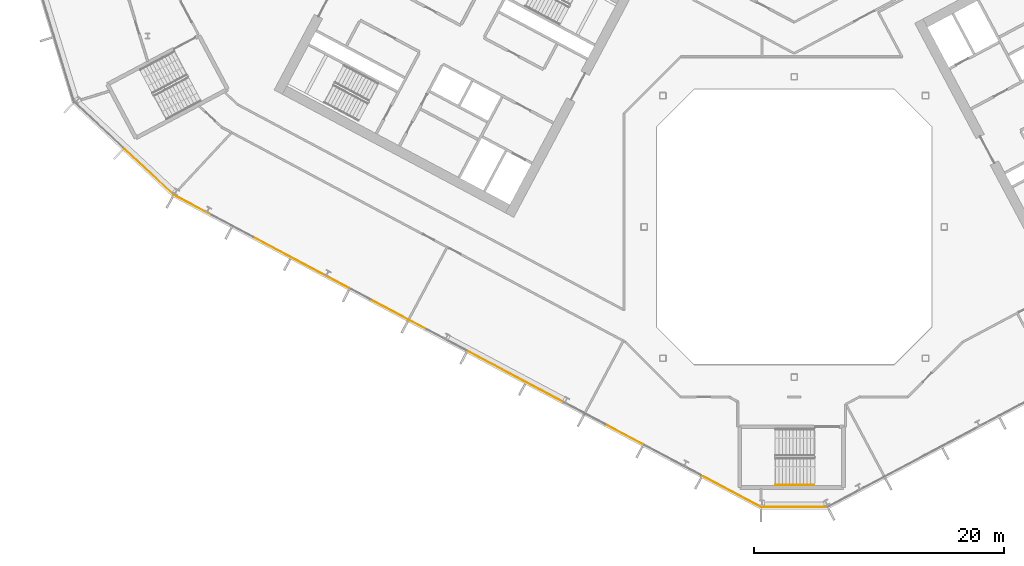
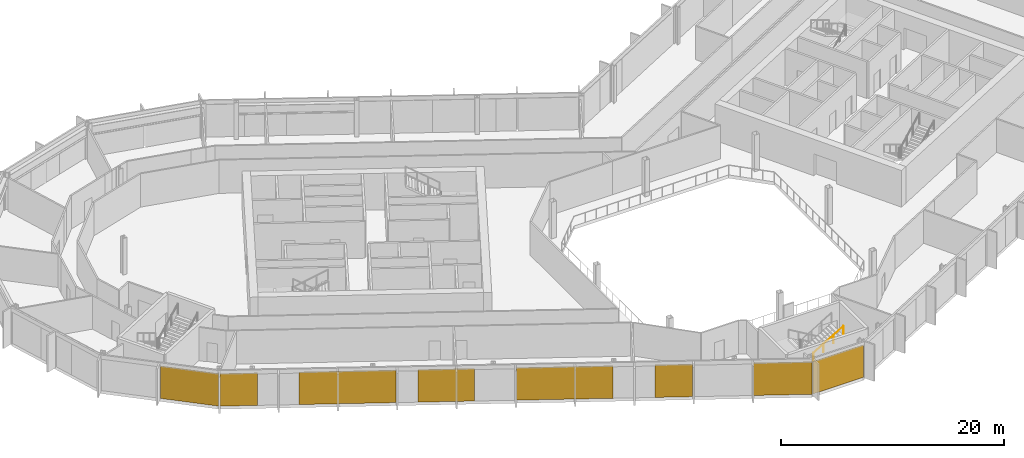
# One storey, part 19 of 28: 8 coverings, 1 railing, 3 elements without a shape of their own.
"""IFC4 building model written with IfcOpenShell, lengths in metres."""

import ifcopenshell
import ifcopenshell.guid

model = None  # the IFC model being written
_history = None  # IfcOwnerHistory: only IFC2X3 demands one
_inside = {}  # id of a spatial element -> (the spatial element, [elements in it])
_under = {}  # id of a project, library or spatial element -> (it, [spatial elements below it])
_declared = {}  # id of a project -> (the project, [libraries it declares])
_typed = {}  # id of a type object -> (the type object, [elements of that type])
_made_of = {}  # id of a material, layer set ... -> (it, [elements and type objects made of it])


def new_model(schema):
    """Start an empty IFC model of exactly this schema.

    Asked for "IFC4X3", IfcOpenShell would pick the latest addendum, in which some entities
    have other attributes; the version numbers below select the first issue.
    IFC2X3 requires an IfcOwnerHistory on every rooted entity: one is made here for all.
    """
    global model, _history
    if schema == "IFC4X3":
        model = ifcopenshell.file(schema_version=(4, 3, 0, 0))
    else:
        model = ifcopenshell.file(schema=schema)
    _inside.clear()
    _under.clear()
    _declared.clear()
    _typed.clear()
    _made_of.clear()
    _history = None
    if model.schema == "IFC2X3":
        org = make("IfcOrganization", Name="unknown")
        user = make(
            "IfcPersonAndOrganization",
            ThePerson=make("IfcPerson", FamilyName="unknown"),
            TheOrganization=org,
        )
        app = make(
            "IfcApplication",
            ApplicationDeveloper=org,
            Version="unknown",
            ApplicationFullName="unknown",
            ApplicationIdentifier="unknown",
        )
        _history = make(
            "IfcOwnerHistory",
            OwningUser=user,
            OwningApplication=app,
            ChangeAction="ADDED",
            CreationDate=0,
        )
    return model


def make(cls, **values):
    """One entity of the class cls with the attributes given. An attribute that is None is left unset."""
    return model.create_entity(
        cls, **{name: value for name, value in values.items() if value is not None}
    )


def rooted(cls, **values):
    """An entity with a GlobalId (a new one), such as an element, a storey or a relation."""
    return make(cls, GlobalId=ifcopenshell.guid.new(), OwnerHistory=_history, **values)


def si_unit(unit_type, name, prefix=None):
    """IfcSIUnit, for example si_unit("LENGTHUNIT", "METRE", prefix="MILLI")."""
    return make("IfcSIUnit", UnitType=unit_type, Prefix=prefix, Name=name)


def assignment(units):
    """IfcUnitAssignment: the units of a project."""
    return None if units is None else make("IfcUnitAssignment", Units=units)


def point(xyz):
    """IfcCartesianPoint."""
    return None if xyz is None else make("IfcCartesianPoint", Coordinates=xyz)


def direction(xyz):
    """IfcDirection."""
    return None if xyz is None else make("IfcDirection", DirectionRatios=xyz)


def frame(location, z_axis=None, x_axis=None):
    """IfcAxis2Placement3D, a coordinate frame: its origin and axes. An axis left out is left unset."""
    return make(
        "IfcAxis2Placement3D",
        Location=point(location),
        Axis=direction(z_axis),
        RefDirection=direction(x_axis),
    )


def frame_2d(location, x_axis=None):
    """IfcAxis2Placement2D, a coordinate frame in the plane: its origin and x axis."""
    return make(
        "IfcAxis2Placement2D", Location=point(location), RefDirection=direction(x_axis)
    )


def origin():
    """The frame at (0, 0, 0) with its axes left unset."""
    return frame((0.0, 0.0, 0.0))


def origin_2d():
    """The frame at (0, 0) in the plane with its x axis left unset."""
    return frame_2d((0.0, 0.0))


def place(relative_to, where):
    """IfcLocalPlacement: puts the frame where relative to a parent placement (None: the world)."""
    return make(
        "IfcLocalPlacement", PlacementRelTo=relative_to, RelativePlacement=where
    )


def context(
    kind, dimensions, precision=None, world=None, true_north=None, identifier=None
):
    """IfcGeometricRepresentationContext, for example the 3D "Model" context."""
    return make(
        "IfcGeometricRepresentationContext",
        ContextIdentifier=identifier,
        ContextType=kind,
        CoordinateSpaceDimension=dimensions,
        Precision=precision,
        WorldCoordinateSystem=world,
        TrueNorth=true_north,
    )


def subcontext(parent, identifier, kind, view, scale=None):
    """IfcGeometricRepresentationSubContext, for example "Body" below "Model"."""
    return make(
        "IfcGeometricRepresentationSubContext",
        ContextIdentifier=identifier,
        ContextType=kind,
        ParentContext=parent,
        TargetScale=scale,
        TargetView=view,
    )


def project(units=None, contexts=None):
    """IfcProject with its units and contexts."""
    return rooted(
        "IfcProject",
        Name="project",
        RepresentationContexts=contexts,
        UnitsInContext=assignment(units),
    )


def spatial(cls, under=None, at=None, **own):
    """A site, building, storey or space (cls), placed at a placement, below another one or the project."""
    s = rooted(cls, ObjectPlacement=at, **own)
    if under is not None:
        _under.setdefault(under.id(), (under, []))[1].append(s)
    return s


def polyline(points):
    """IfcPolyline through the points."""
    return make("IfcPolyline", Points=[point(p) for p in points])


def profile(cls, at=None, kind="AREA", **sizes):
    """A parametric profile (cls). Its sizes go by their IFC names, for example OverallWidth=200.0."""
    return make(cls, ProfileType=kind, Position=at, **sizes)


def rectangle(**sizes):
    """IfcRectangleProfileDef."""
    return profile("IfcRectangleProfileDef", **sizes)


def outline(outer, holes=None, kind="AREA"):
    """IfcArbitraryClosedProfileDef: a profile drawn as a closed curve; with holes, ...WithVoids."""
    if holes is None:
        return make("IfcArbitraryClosedProfileDef", ProfileType=kind, OuterCurve=outer)
    return make(
        "IfcArbitraryProfileDefWithVoids",
        ProfileType=kind,
        OuterCurve=outer,
        InnerCurves=holes,
    )


def extrude(swept, where, along, depth):
    """IfcExtrudedAreaSolid: the profile swept, set in the frame where, extruded along a direction by depth."""
    return make(
        "IfcExtrudedAreaSolid",
        SweptArea=swept,
        Position=where,
        ExtrudedDirection=direction(along),
        Depth=depth,
    )


def shape(context_of_items, identifier, shape_type, items):
    """IfcShapeRepresentation: the items that make up one representation, for example the "Body"."""
    return make(
        "IfcShapeRepresentation",
        ContextOfItems=context_of_items,
        RepresentationIdentifier=identifier,
        RepresentationType=shape_type,
        Items=items,
    )


def material(Name=None, Category=None):
    """IfcMaterial."""
    return make("IfcMaterial", Name=Name, Category=Category)


def layer(
    of_material, thickness, ventilated=None, Name=None, Category=None, Priority=None
):
    """IfcMaterialLayer: one layer of a wall or slab, of a material (None: an air gap)."""
    return make(
        "IfcMaterialLayer",
        Material=of_material,
        LayerThickness=thickness,
        IsVentilated=ventilated,
        Name=Name,
        Category=Category,
        Priority=Priority,
    )


def layer_set(layers, Name=None):
    """IfcMaterialLayerSet."""
    return make("IfcMaterialLayerSet", MaterialLayers=layers, LayerSetName=Name)


def made_of(thing, what):
    """Note that an element or type object is made of a material, layer set ...; save() writes the relation."""
    if what is not None:
        _made_of.setdefault(what.id(), (what, []))[1].append(thing)
    return thing


def type_object(cls, material=None, **own):
    """A type object (cls), such as IfcWallType, which elements share."""
    return made_of(rooted(cls, **own), material)


def element(
    cls,
    number,
    at=None,
    inside=None,
    cuts=None,
    type_object=None,
    material=None,
    context=None,
    identifier="Body",
    shape_type=None,
    held_by="IfcProductDefinitionShape",
    body=None,
    shapes=None,
    **own,
):
    """One element of the class cls, such as IfcWall. Its Tag is "e" and its number.

    at: its placement. inside: the storey or other place that contains it. cuts: it is an
    opening in that element (IfcRelVoidsElement). A single representation is given by context,
    identifier, shape_type and body (its items); several are given by shapes. held_by: the class
    of the entity that holds the representations. save() writes the other relations.
    """
    e = rooted(cls, Tag="e%d" % number, ObjectPlacement=at, **own)
    if body is not None:
        shapes = [shape(context, identifier, shape_type, body)]
    if shapes is not None:
        e.Representation = make(held_by, Representations=shapes)
    if inside is not None:
        _inside.setdefault(inside.id(), (inside, []))[1].append(e)
    if cuts is not None:
        rooted(
            "IfcRelVoidsElement", RelatingBuildingElement=cuts, RelatedOpeningElement=e
        )
    if type_object is not None:
        _typed.setdefault(type_object.id(), (type_object, []))[1].append(e)
    return made_of(e, material)


def aggregate(whole, parts):
    """IfcRelAggregates: a whole, such as a stair, and the parts it consists of."""
    return rooted("IfcRelAggregates", RelatingObject=whole, RelatedObjects=parts)


def save(model, path):
    """Write the relations noted so far, then the file.

    IfcRelAggregates (storeys below a building ...), IfcRelContainedInSpatialStructure (elements
    in a storey), IfcRelDefinesByType, IfcRelAssociatesMaterial and IfcRelDeclares: one each for
    every whole, place, type object, material and project.
    """
    for whole, parts in _under.values():
        aggregate(whole, parts)
    for where, things in _inside.values():
        rooted(
            "IfcRelContainedInSpatialStructure",
            RelatedElements=things,
            RelatingStructure=where,
        )
    for kind, things in _typed.values():
        rooted("IfcRelDefinesByType", RelatedObjects=things, RelatingType=kind)
    for what, things in _made_of.values():
        rooted("IfcRelAssociatesMaterial", RelatedObjects=things, RelatingMaterial=what)
    for by, libraries in _declared.values():
        rooted("IfcRelDeclares", RelatingContext=by, RelatedDefinitions=libraries)
    model.write(path)


model = new_model("IFC4")

# Units and contexts
model_context = context("Model", 3, precision=1e-05, world=origin(), true_north=direction((0.0, 1.0)))
body_context = subcontext(model_context, "Body", "Model", "MODEL_VIEW")
ifc_project = project(units=[si_unit("LENGTHUNIT", "METRE"), si_unit("AREAUNIT", "SQUARE_METRE"), si_unit("VOLUMEUNIT", "CUBIC_METRE"), si_unit("PLANEANGLEUNIT", "RADIAN"), si_unit("MASSUNIT", "GRAM", prefix="KILO")], contexts=[model_context])

# Site, building, storey
site_placement = place(None, origin())
site = spatial("IfcSite", under=ifc_project, at=site_placement, CompositionType="ELEMENT")
building_placement = place(site_placement, origin())
building = spatial("IfcBuilding", under=site, at=building_placement, Name="Cormorant Relay Tower", CompositionType="ELEMENT")
storey_placement = place(building_placement, frame((0.0, 0.0, 162.199951171875)))
storey = spatial("IfcBuildingStorey", under=building, at=storey_placement, Name="L34", CompositionType="ELEMENT", Elevation=162.199951171875)

# Curtain wall, covering
ifc_material_1 = material(Name="Aluminium 6063-T6 anodised bronze", Category="aluminium")
ifc_layer_1 = layer(ifc_material_1, 0.199951171875)
ifc_layer_set_1 = layer_set([ifc_layer_1], Name="CW1 unitised bronze curtain wall with vertical fins")
curtain_wall_type = type_object("IfcCurtainWallType", Name="CW1 unitised bronze curtain wall with vertical fins", PredefinedType="NOTDEFINED", material=ifc_layer_set_1)
curtain_wall_1_placement = place(storey_placement, origin())
curtain_wall_1 = element("IfcCurtainWall", 1, at=curtain_wall_1_placement, inside=storey, type_object=curtain_wall_type, Name="CW1 curtain wall 1", PredefinedType="NOTDEFINED")
ifc_material_2 = material(Name="Pale bronze anodised aluminium insulated panel", Category="aluminium")
ifc_layer_2 = layer(ifc_material_2, 0.0400390625)
ifc_layer_set_2 = layer_set([ifc_layer_2], Name="CW1 pale bronze insulated panel 40")
covering_type = type_object("IfcCoveringType", Name="CW1 pale bronze insulated panel 40", PredefinedType="CLADDING", material=ifc_layer_set_2)
covering_1_placement = place(storey_placement, frame((0.03759765625, -22.3955078125, 0.0), z_axis=(0.0, 0.0, 1.0), x_axis=(1.0, 0.0, 0.0)))
covering_1 = element("IfcCovering", 2, at=covering_1_placement, type_object=covering_type, Name="CW1 panel S00", PredefinedType="CLADDING", context=body_context, shape_type="SweptSolid", body=[
    extrude(rectangle(XDim=5.22265625, YDim=0.0400390625, at=origin_2d()), origin(), (0.0, 0.0, 1.0), 3.550048828125),
])
aggregate(curtain_wall_1, [covering_1])

curtain_wall_2_placement = place(storey_placement, origin())
curtain_wall_2 = element("IfcCurtainWall", 3, at=curtain_wall_2_placement, inside=storey, type_object=curtain_wall_type, Name="CW1 curtain wall 15", PredefinedType="NOTDEFINED")
covering_2_placement = place(storey_placement, frame((-51.565185546875, 4.3974609375, 0.0), z_axis=(0.0, 0.0, 1.0), x_axis=(0.731353701619, -0.681998360062, 0.0)))
covering_2 = element("IfcCovering", 4, at=covering_2_placement, type_object=covering_type, Name="CW1 panel S01", PredefinedType="CLADDING", context=body_context, shape_type="SweptSolid", body=[
    extrude(rectangle(XDim=5.360107421875, YDim=0.0400390625, at=origin_2d()), origin(), (0.0, 0.0, 1.0), 3.550048828125),
])
aggregate(curtain_wall_2, [covering_2])

# Curtain wall, coverings
curtain_wall_3_placement = place(storey_placement, origin())
curtain_wall_3 = element("IfcCurtainWall", 5, at=curtain_wall_3_placement, inside=storey, type_object=curtain_wall_type, Name="CW1 curtain wall 16", PredefinedType="NOTDEFINED")
covering_3_placement = place(storey_placement, frame((-48.048583984375, 1.7412109375, 0.0), z_axis=(0.0, 0.0, 1.0), x_axis=(0.882947592859, -0.469471562786, 0.0)))
covering_3 = element("IfcCovering", 6, at=covering_3_placement, type_object=covering_type, Name="CW1 panel S00", PredefinedType="CLADDING", context=body_context, shape_type="SweptSolid", body=[
    extrude(rectangle(XDim=3.36669921875, YDim=0.0400390625, at=origin_2d()), origin(), (0.0, 0.0, 1.0), 3.550048828125),
])
covering_4_placement = place(storey_placement, frame((-39.417724609375, -2.847900390625, 0.0), z_axis=(0.0, 0.0, 1.0), x_axis=(0.882947592859, -0.469471562786, 0.0)))
covering_4 = element("IfcCovering", 7, at=covering_4_placement, type_object=covering_type, Name="CW1 panel S03", PredefinedType="CLADDING", context=body_context, shape_type="SweptSolid", body=[
    extrude(rectangle(XDim=8.68310546875, YDim=0.0400390625, at=origin_2d()), origin(), (0.0, 0.0, 1.0), 3.550048828125),
])
covering_5_placement = place(storey_placement, frame((-31.618408203125, -6.994873046875, 0.0), z_axis=(0.0, 0.0, 1.0), x_axis=(0.882947592859, -0.469471562786, 0.0)))
covering_5 = element("IfcCovering", 8, at=covering_5_placement, type_object=covering_type, Name="CW1 panel S05", PredefinedType="CLADDING", context=body_context, shape_type="SweptSolid", body=[
    extrude(rectangle(XDim=5.083251953125, YDim=0.0400390625, at=origin_2d()), origin(), (0.0, 0.0, 1.0), 3.550048828125),
])
covering_6_placement = place(storey_placement, frame((-22.22998046875, -11.98681640625, 0.0), z_axis=(0.0, 0.0, 1.0), x_axis=(0.882947592859, -0.469471562786, 0.0)))
covering_6 = element("IfcCovering", 9, at=covering_6_placement, type_object=covering_type, Name="CW1 panel S07", PredefinedType="CLADDING", context=body_context, shape_type="SweptSolid", body=[
    extrude(rectangle(XDim=8.68310546875, YDim=0.0400390625, at=origin_2d()), origin(), (0.0, 0.0, 1.0), 3.550048828125),
])
covering_7_placement = place(storey_placement, frame((-13.599365234375, -16.57568359375, 0.0), z_axis=(0.0, 0.0, 1.0), x_axis=(0.882947592859, -0.469471562786, 0.0)))
covering_7 = element("IfcCovering", 10, at=covering_7_placement, type_object=covering_type, Name="CW1 panel S10", PredefinedType="CLADDING", context=body_context, shape_type="SweptSolid", body=[
    extrude(rectangle(XDim=3.36669921875, YDim=0.0400390625, at=origin_2d()), origin(), (0.0, 0.0, 1.0), 3.550048828125),
])
covering_8_placement = place(storey_placement, frame((-4.972412109375, -21.162841796875, 0.0), z_axis=(0.0, 0.0, 1.0), x_axis=(0.882947592859, -0.469471562786, 0.0)))
covering_8 = element("IfcCovering", 11, at=covering_8_placement, type_object=covering_type, Name="CW1 panel S12", PredefinedType="CLADDING", context=body_context, shape_type="SweptSolid", body=[
    extrude(rectangle(XDim=5.24169921875, YDim=0.0400390625, at=origin_2d()), origin(), (0.0, 0.0, 1.0), 3.550048828125),
])
aggregate(curtain_wall_3, [covering_3, covering_4, covering_5, covering_6, covering_7, covering_8])

# Railing
ifc_material_3 = material(Name="Steel ASTM A572 Grade 50 (Fy 345 MPa)", Category="steel")
railing_type = type_object("IfcRailingType", Name="Stair handrail 900", PredefinedType="HANDRAIL", material=ifc_material_3)
railing_placement = place(storey_placement, frame((-1.47998046875, -20.625, 2.166748046875)))
element("IfcRailing", 12, at=railing_placement, inside=storey, type_object=railing_type, Name="L34 RK1 stair handrail 2", PredefinedType="HANDRAIL", context=body_context, shape_type="SweptSolid", body=[
    extrude(outline(polyline([(0.022216796875, 0.00927734375), (0.00927734375, 0.022216796875), (-0.00927734375, 0.022216796875), (-0.022216796875, 0.00927734375), (-0.022216796875, -0.00927734375), (-0.00927734375, -0.022216796875), (0.00927734375, -0.022216796875), (0.022216796875, -0.00927734375), (0.022216796875, 0.00927734375)])), frame((0.0, 0.0, 0.8759765625), z_axis=(0.859308565015, 0.0, 0.511457515432), x_axis=(0.0, 1.0, 0.0)), (0.0, 0.0, 1.0), 3.58447265625),
    extrude(outline(polyline([(0.019287109375, 0.008056640625), (0.008056640625, 0.019287109375), (-0.008056640625, 0.019287109375), (-0.019287109375, 0.008056640625), (-0.019287109375, -0.008056640625), (-0.008056640625, -0.019287109375), (0.008056640625, -0.019287109375), (0.019287109375, -0.008056640625), (0.019287109375, 0.008056640625)])), origin(), (0.0, 0.0, 1.0), 0.851806640625),
    extrude(outline(polyline([(0.019287109375, 0.008056640625), (0.008056640625, 0.019287109375), (-0.008056640625, 0.019287109375), (-0.019287109375, 0.008056640625), (-0.019287109375, -0.008056640625), (-0.008056640625, -0.019287109375), (0.008056640625, -0.019287109375), (0.019287109375, -0.008056640625), (0.019287109375, 0.008056640625)])), frame((1.026611328125, 0.0, 0.611083984375)), (0.0, 0.0, 1.0), 0.851806640625),
    extrude(outline(polyline([(0.019287109375, 0.008056640625), (0.008056640625, 0.019287109375), (-0.008056640625, 0.019287109375), (-0.019287109375, 0.008056640625), (-0.019287109375, -0.008056640625), (-0.008056640625, -0.019287109375), (0.008056640625, -0.019287109375), (0.019287109375, -0.008056640625), (0.019287109375, 0.008056640625)])), frame((2.053466796875, 0.0, 1.22216796875)), (0.0, 0.0, 1.0), 0.851806640625),
    extrude(outline(polyline([(0.019287109375, 0.008056640625), (0.008056640625, 0.019287109375), (-0.008056640625, 0.019287109375), (-0.019287109375, 0.008056640625), (-0.019287109375, -0.008056640625), (-0.008056640625, -0.019287109375), (0.008056640625, -0.019287109375), (0.019287109375, -0.008056640625), (0.019287109375, 0.008056640625)])), frame((3.080078125, 0.0, 1.833251953125)), (0.0, 0.0, 1.0), 0.851806640625),
])

save(model, "model.ifc")
